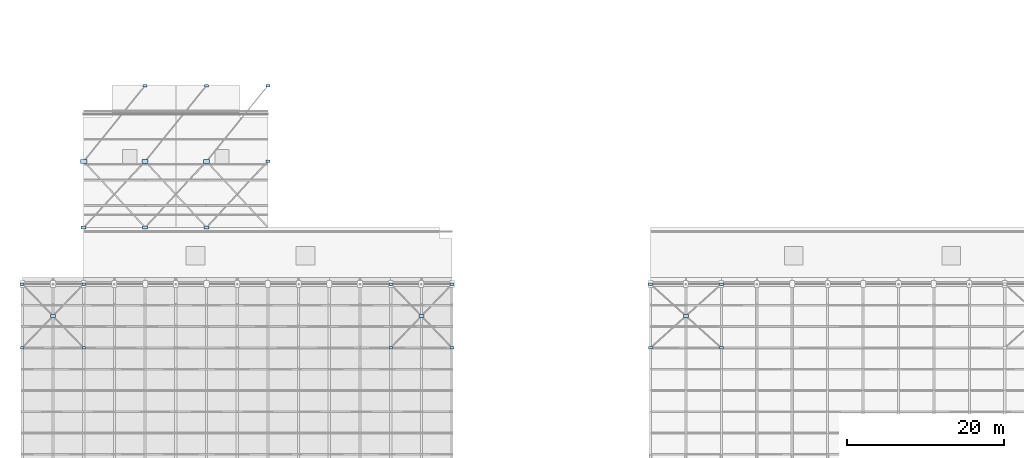
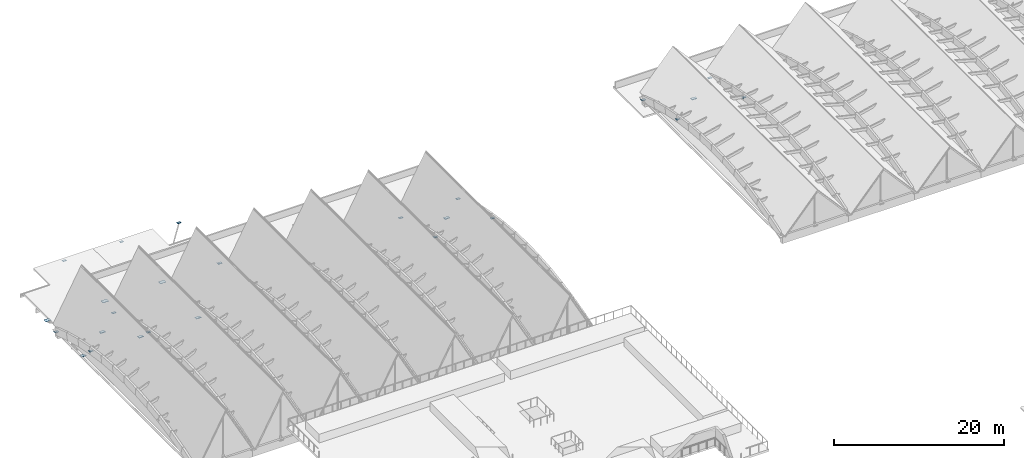
# One storey, part 33 of 39: 25 plates.
"""IFC4 building model written with IfcOpenShell, lengths in metres."""

from ifc_helpers import new_model, si_unit, direction, frame, origin, origin_2d, place, context, subcontext, project, spatial, rectangle, extrude, material, layer, layer_set, type_object, element, save


model = new_model("IFC4")

# Units and contexts
model_context = context("Model", 3, precision=1e-05, world=origin(), true_north=direction((0.0, 1.0)))
body_context = subcontext(model_context, "Body", "Model", "MODEL_VIEW")
ifc_project = project(units=[si_unit("LENGTHUNIT", "METRE"), si_unit("AREAUNIT", "SQUARE_METRE"), si_unit("VOLUMEUNIT", "CUBIC_METRE"), si_unit("PLANEANGLEUNIT", "RADIAN"), si_unit("MASSUNIT", "GRAM", prefix="KILO")], contexts=[model_context])

# Site, building, storey
site_placement = place(None, origin())
site = spatial("IfcSite", under=ifc_project, at=site_placement, CompositionType="ELEMENT")
building_placement = place(site_placement, origin())
building = spatial("IfcBuilding", under=site, at=building_placement, Name="Tizgana Railside Sports Hall", CompositionType="ELEMENT")
storey_placement = place(building_placement, frame((0.0, 0.0, 23.699951171875)))
storey = spatial("IfcBuildingStorey", under=building, at=storey_placement, Name="RF", CompositionType="ELEMENT", Elevation=23.699951171875)

# Plates
ifc_material = material(Name="Steel S355J2", Category="steel")
ifc_layer_1 = layer(ifc_material, 0.01806640625, Name="Steel S355J2")
ifc_layer_set_1 = layer_set([ifc_layer_1], Name="Steel S355J2")
plate_type_1 = type_object("IfcPlateType", Name="Canopy Tie Gusset Plate 480x320x18", PredefinedType="USERDEFINED", material=ifc_layer_set_1)
for number, where, z_axis, x_axis, name in (
    (1, (0.0, 65.10009765625, -6.23095703125), (0.0, 0.0, 1.0), (1.0, 0.0, 0.0), "RF V1 Brace End Plate PLT-0072"),
    (2, (7.800048828125, 73.199951171875, -8.35888671875), (0.0, 0.0, 1.0), (1.0, 0.0, 0.0), "RF V1 Brace End Plate PLT-0073"),
    (3, (7.800048828125, 65.10009765625, -6.23095703125), (0.0, 0.0, 1.0), (1.0, 0.0, 0.0), "RF V1 Brace End Plate PLT-0074"),
    (4, (0.0, 73.199951171875, -8.35888671875), (0.0, 0.0, 1.0), (1.0, 0.0, 0.0), "RF V1 Brace End Plate PLT-0075"),
    (5, (46.800048828125, 65.10009765625, -6.23095703125), (0.0, 0.0, 1.0), (1.0, 0.0, 0.0), "RF V1 Brace End Plate PLT-0082"),
    (6, (54.60009765625, 73.199951171875, -8.35888671875), (0.0, 0.0, 1.0), (1.0, 0.0, 0.0), "RF V1 Brace End Plate PLT-0083"),
    (7, (54.60009765625, 65.10009765625, -6.23095703125), (0.0, 0.0, 1.0), (1.0, 0.0, 0.0), "RF V1 Brace End Plate PLT-0084"),
    (8, (46.800048828125, 73.199951171875, -8.35888671875), (0.0, 0.0, 1.0), (1.0, 0.0, 0.0), "RF V1 Brace End Plate PLT-0085"),
    (9, (79.800048828125, 65.10009765625, -0.8310546875), (0.0, 0.0, 1.0), (1.0, 0.0, 0.0), "RF V2 Brace End Plate PLT-0118"),
    (10, (88.800048828125, 73.199951171875, -2.958984375), (0.0, 0.0, 1.0), (1.0, 0.0, 0.0), "RF V2 Brace End Plate PLT-0119"),
    (11, (88.800048828125, 65.10009765625, -0.8310546875), (0.0, 0.0, 1.0), (1.0, 0.0, 0.0), "RF V2 Brace End Plate PLT-0120"),
    (12, (79.800048828125, 73.199951171875, -2.958984375), (0.0, 0.0, 1.0), (1.0, 0.0, 0.0), "RF V2 Brace End Plate PLT-0121"),
    (13, (15.60009765625, 98.39990234375, -18.888916015625), (0.0, 0.0, 1.0), (1.0, 0.0, 0.0), "RF PLT-0135"),
    (14, (23.39990234375, 98.39990234375, -18.888916015625), (0.0, 0.0, 1.0), (1.0, 0.0, 0.0), "RF PLT-0139"),
    (15, (31.199951171875, 98.39990234375, -18.888916015625), (0.0, 0.0, 1.0), (1.0, 0.0, 0.0), "RF PLT-0143"),
):
    element("IfcPlate", number, at=place(storey_placement, frame(where, z_axis=z_axis, x_axis=x_axis)), inside=storey, type_object=plate_type_1, Name=name, ObjectType="GUSSET_PLATE", PredefinedType="USERDEFINED", context=body_context, shape_type="SweptSolid", body=[
        extrude(rectangle(XDim=0.47998046875, YDim=0.320068359375, at=origin_2d()), origin(), (0.0, 0.0, 1.0), 0.01806640625),
    ])
ifc_layer_2 = layer(ifc_material, 0.031982421875, Name="Steel S355J2")
ifc_layer_set_2 = layer_set([ifc_layer_2], Name="Steel S355J2")
plate_type_2 = type_object("IfcPlateType", Name="Climbing Rib Shoe Plate 780x500x32", PredefinedType="USERDEFINED", material=ifc_layer_set_2)
for number, where, z_axis, x_axis, name in (
    (16, (7.800048828125, 88.800048828125, -18.89599609375), (0.0, 0.0, 1.0), (1.0, 0.0, 0.0), "RF PLT-0134"),
    (17, (15.60009765625, 88.800048828125, -18.89599609375), (0.0, 0.0, 1.0), (1.0, 0.0, 0.0), "RF PLT-0138"),
    (18, (23.39990234375, 88.800048828125, -18.89599609375), (0.0, 0.0, 1.0), (1.0, 0.0, 0.0), "RF PLT-0142"),
):
    element("IfcPlate", number, at=place(storey_placement, frame(where, z_axis=z_axis, x_axis=x_axis)), inside=storey, type_object=plate_type_2, Name=name, ObjectType="GUSSET_PLATE", PredefinedType="USERDEFINED", context=body_context, shape_type="SweptSolid", body=[
        extrude(rectangle(XDim=0.780029296875, YDim=0.5, at=origin_2d()), origin(), (0.0, 0.0, 1.0), 0.031982421875),
    ])
ifc_layer_3 = layer(ifc_material, 0.02001953125, Name="Steel S355J2")
ifc_layer_set_3 = layer_set([ifc_layer_3], Name="Steel S355J2")
plate_type_3 = type_object("IfcPlateType", Name="Facade Brace Gusset Plate 540x360x20", PredefinedType="USERDEFINED", material=ifc_layer_set_3)
plate_placement = place(storey_placement, frame((31.199951171875, 88.800048828125, -18.889892578125), z_axis=(0.0, 0.0, 1.0), x_axis=(1.0, 0.0, 0.0)))
element("IfcPlate", 19, at=plate_placement, inside=storey, type_object=plate_type_3, Name="RF PLT-0141", ObjectType="GUSSET_PLATE", PredefinedType="USERDEFINED", context=body_context, shape_type="SweptSolid", body=[
    extrude(rectangle(XDim=0.5400390625, YDim=0.360107421875, at=origin_2d()), origin(), (0.0, 0.0, 1.0), 0.02001953125),
])
ifc_layer_4 = layer(ifc_material, 0.02392578125, Name="Steel S355J2")
ifc_layer_set_4 = layer_set([ifc_layer_4], Name="Steel S355J2")
plate_type_4 = type_object("IfcPlateType", Name="Roof Brace Gusset Plate 640x420x24", PredefinedType="USERDEFINED", material=ifc_layer_set_4)
for number, where, z_axis, x_axis, name in (
    (20, (3.89990234375, 69.14990234375, -7.2978515625), (0.0, 0.0, 1.0), (1.0, 0.0, 0.0), "RF V1 X-Brace Crossing Plate PLT-0071"),
    (21, (50.699951171875, 69.14990234375, -7.2978515625), (0.0, 0.0, 1.0), (1.0, 0.0, 0.0), "RF V1 X-Brace Crossing Plate PLT-0081"),
    (22, (84.300048828125, 69.14990234375, -1.89794921875), (0.0, 0.0, 1.0), (1.0, 0.0, 0.0), "RF V2 X-Brace Crossing Plate PLT-0117"),
    (23, (7.800048828125, 80.39990234375, -18.891845703125), (0.0, 0.0, 1.0), (1.0, 0.0, 0.0), "RF PLT-0132"),
    (24, (15.60009765625, 80.39990234375, -18.891845703125), (0.0, 0.0, 1.0), (1.0, 0.0, 0.0), "RF PLT-0136"),
    (25, (23.39990234375, 80.39990234375, -18.891845703125), (0.0, 0.0, 1.0), (1.0, 0.0, 0.0), "RF PLT-0140"),
):
    element("IfcPlate", number, at=place(storey_placement, frame(where, z_axis=z_axis, x_axis=x_axis)), inside=storey, type_object=plate_type_4, Name=name, ObjectType="GUSSET_PLATE", PredefinedType="USERDEFINED", context=body_context, shape_type="SweptSolid", body=[
        extrude(rectangle(XDim=0.639892578125, YDim=0.419921875, at=origin_2d()), origin(), (0.0, 0.0, 1.0), 0.02392578125),
    ])

save(model, "model.ifc")
